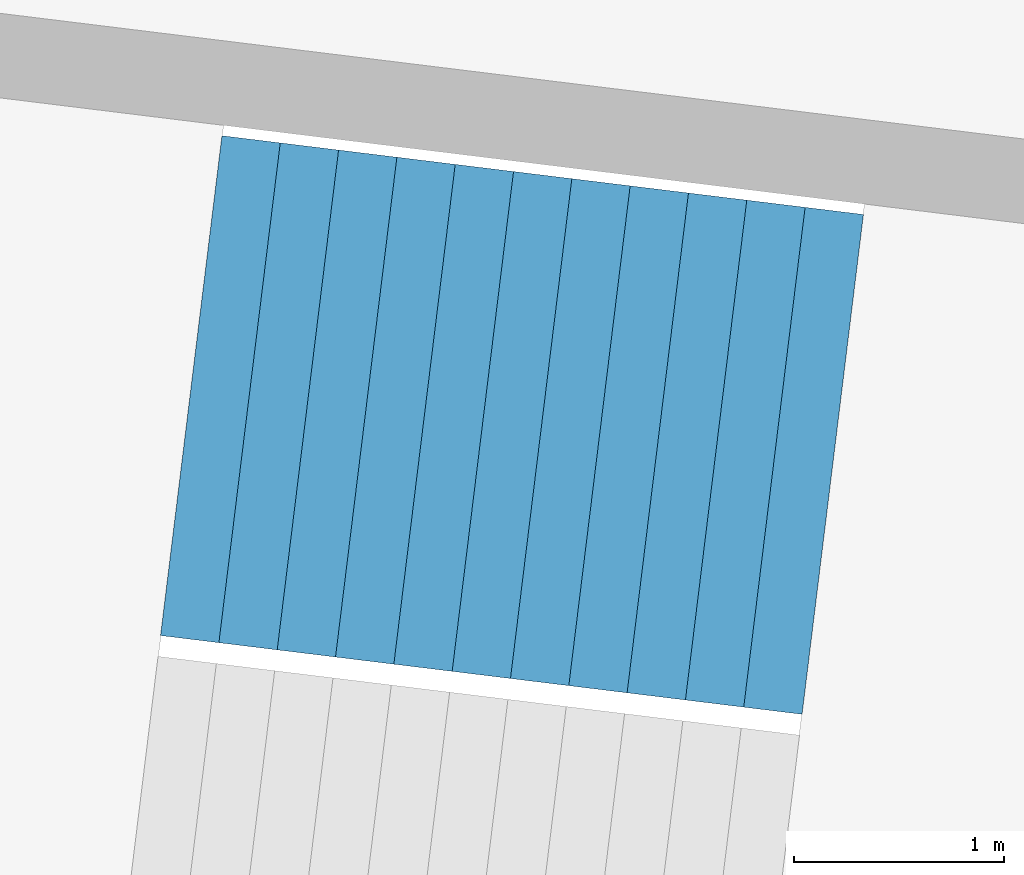
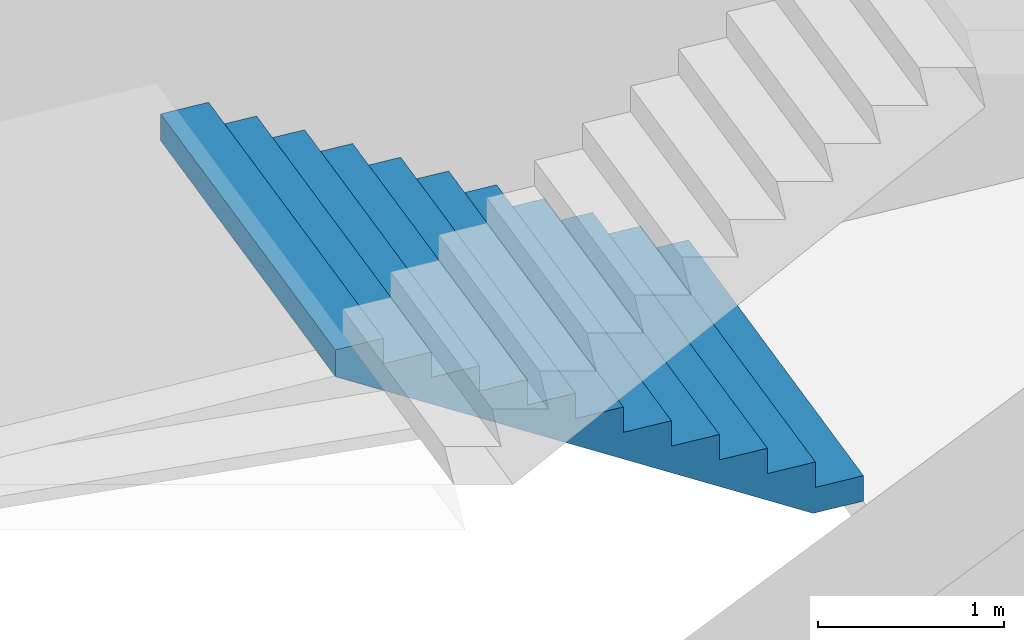
# One storey, part 28 of 74: 1 stair flight, 1 element without a shape of its own.
"""IFC4 building model written with IfcOpenShell, lengths in metres."""

import ifcopenshell
import ifcopenshell.guid

model = None  # the IFC model being written
_history = None  # IfcOwnerHistory: only IFC2X3 demands one
_inside = {}  # id of a spatial element -> (the spatial element, [elements in it])
_under = {}  # id of a project, library or spatial element -> (it, [spatial elements below it])
_declared = {}  # id of a project -> (the project, [libraries it declares])
_typed = {}  # id of a type object -> (the type object, [elements of that type])
_made_of = {}  # id of a material, layer set ... -> (it, [elements and type objects made of it])


def new_model(schema):
    """Start an empty IFC model of exactly this schema.

    Asked for "IFC4X3", IfcOpenShell would pick the latest addendum, in which some entities
    have other attributes; the version numbers below select the first issue.
    IFC2X3 requires an IfcOwnerHistory on every rooted entity: one is made here for all.
    """
    global model, _history
    if schema == "IFC4X3":
        model = ifcopenshell.file(schema_version=(4, 3, 0, 0))
    else:
        model = ifcopenshell.file(schema=schema)
    _inside.clear()
    _under.clear()
    _declared.clear()
    _typed.clear()
    _made_of.clear()
    _history = None
    if model.schema == "IFC2X3":
        org = make("IfcOrganization", Name="unknown")
        user = make(
            "IfcPersonAndOrganization",
            ThePerson=make("IfcPerson", FamilyName="unknown"),
            TheOrganization=org,
        )
        app = make(
            "IfcApplication",
            ApplicationDeveloper=org,
            Version="unknown",
            ApplicationFullName="unknown",
            ApplicationIdentifier="unknown",
        )
        _history = make(
            "IfcOwnerHistory",
            OwningUser=user,
            OwningApplication=app,
            ChangeAction="ADDED",
            CreationDate=0,
        )
    return model


def make(cls, **values):
    """One entity of the class cls with the attributes given. An attribute that is None is left unset."""
    return model.create_entity(
        cls, **{name: value for name, value in values.items() if value is not None}
    )


def rooted(cls, **values):
    """An entity with a GlobalId (a new one), such as an element, a storey or a relation."""
    return make(cls, GlobalId=ifcopenshell.guid.new(), OwnerHistory=_history, **values)


def si_unit(unit_type, name, prefix=None):
    """IfcSIUnit, for example si_unit("LENGTHUNIT", "METRE", prefix="MILLI")."""
    return make("IfcSIUnit", UnitType=unit_type, Prefix=prefix, Name=name)


def assignment(units):
    """IfcUnitAssignment: the units of a project."""
    return None if units is None else make("IfcUnitAssignment", Units=units)


def point(xyz):
    """IfcCartesianPoint."""
    return None if xyz is None else make("IfcCartesianPoint", Coordinates=xyz)


def direction(xyz):
    """IfcDirection."""
    return None if xyz is None else make("IfcDirection", DirectionRatios=xyz)


def frame(location, z_axis=None, x_axis=None):
    """IfcAxis2Placement3D, a coordinate frame: its origin and axes. An axis left out is left unset."""
    return make(
        "IfcAxis2Placement3D",
        Location=point(location),
        Axis=direction(z_axis),
        RefDirection=direction(x_axis),
    )


def origin():
    """The frame at (0, 0, 0) with its axes left unset."""
    return frame((0.0, 0.0, 0.0))


def place(relative_to, where):
    """IfcLocalPlacement: puts the frame where relative to a parent placement (None: the world)."""
    return make(
        "IfcLocalPlacement", PlacementRelTo=relative_to, RelativePlacement=where
    )


def context(
    kind, dimensions, precision=None, world=None, true_north=None, identifier=None
):
    """IfcGeometricRepresentationContext, for example the 3D "Model" context."""
    return make(
        "IfcGeometricRepresentationContext",
        ContextIdentifier=identifier,
        ContextType=kind,
        CoordinateSpaceDimension=dimensions,
        Precision=precision,
        WorldCoordinateSystem=world,
        TrueNorth=true_north,
    )


def subcontext(parent, identifier, kind, view, scale=None):
    """IfcGeometricRepresentationSubContext, for example "Body" below "Model"."""
    return make(
        "IfcGeometricRepresentationSubContext",
        ContextIdentifier=identifier,
        ContextType=kind,
        ParentContext=parent,
        TargetScale=scale,
        TargetView=view,
    )


def project(units=None, contexts=None):
    """IfcProject with its units and contexts."""
    return rooted(
        "IfcProject",
        Name="project",
        RepresentationContexts=contexts,
        UnitsInContext=assignment(units),
    )


def spatial(cls, under=None, at=None, **own):
    """A site, building, storey or space (cls), placed at a placement, below another one or the project."""
    s = rooted(cls, ObjectPlacement=at, **own)
    if under is not None:
        _under.setdefault(under.id(), (under, []))[1].append(s)
    return s


def point_list(points):
    """IfcCartesianPointList2D or 3D."""
    cls = (
        "IfcCartesianPointList2D" if len(points[0]) == 2 else "IfcCartesianPointList3D"
    )
    return make(cls, CoordList=points)


def triangles(points, corners, closed=None, point_numbers=None):
    """IfcTriangulatedFaceSet: each triangle names its three corners, points numbered from 1."""
    return make(
        "IfcTriangulatedFaceSet",
        Coordinates=point_list(points),
        Closed=closed,
        CoordIndex=corners,
        PnIndex=point_numbers,
    )


def shape(context_of_items, identifier, shape_type, items):
    """IfcShapeRepresentation: the items that make up one representation, for example the "Body"."""
    return make(
        "IfcShapeRepresentation",
        ContextOfItems=context_of_items,
        RepresentationIdentifier=identifier,
        RepresentationType=shape_type,
        Items=items,
    )


def material(Name=None, Category=None):
    """IfcMaterial."""
    return make("IfcMaterial", Name=Name, Category=Category)


def made_of(thing, what):
    """Note that an element or type object is made of a material, layer set ...; save() writes the relation."""
    if what is not None:
        _made_of.setdefault(what.id(), (what, []))[1].append(thing)
    return thing


def type_object(cls, material=None, **own):
    """A type object (cls), such as IfcWallType, which elements share."""
    return made_of(rooted(cls, **own), material)


def element(
    cls,
    number,
    at=None,
    inside=None,
    cuts=None,
    type_object=None,
    material=None,
    context=None,
    identifier="Body",
    shape_type=None,
    held_by="IfcProductDefinitionShape",
    body=None,
    shapes=None,
    **own,
):
    """One element of the class cls, such as IfcWall. Its Tag is "e" and its number.

    at: its placement. inside: the storey or other place that contains it. cuts: it is an
    opening in that element (IfcRelVoidsElement). A single representation is given by context,
    identifier, shape_type and body (its items); several are given by shapes. held_by: the class
    of the entity that holds the representations. save() writes the other relations.
    """
    e = rooted(cls, Tag="e%d" % number, ObjectPlacement=at, **own)
    if body is not None:
        shapes = [shape(context, identifier, shape_type, body)]
    if shapes is not None:
        e.Representation = make(held_by, Representations=shapes)
    if inside is not None:
        _inside.setdefault(inside.id(), (inside, []))[1].append(e)
    if cuts is not None:
        rooted(
            "IfcRelVoidsElement", RelatingBuildingElement=cuts, RelatedOpeningElement=e
        )
    if type_object is not None:
        _typed.setdefault(type_object.id(), (type_object, []))[1].append(e)
    return made_of(e, material)


def aggregate(whole, parts):
    """IfcRelAggregates: a whole, such as a stair, and the parts it consists of."""
    return rooted("IfcRelAggregates", RelatingObject=whole, RelatedObjects=parts)


def save(model, path):
    """Write the relations noted so far, then the file.

    IfcRelAggregates (storeys below a building ...), IfcRelContainedInSpatialStructure (elements
    in a storey), IfcRelDefinesByType, IfcRelAssociatesMaterial and IfcRelDeclares: one each for
    every whole, place, type object, material and project.
    """
    for whole, parts in _under.values():
        aggregate(whole, parts)
    for where, things in _inside.values():
        rooted(
            "IfcRelContainedInSpatialStructure",
            RelatedElements=things,
            RelatingStructure=where,
        )
    for kind, things in _typed.values():
        rooted("IfcRelDefinesByType", RelatedObjects=things, RelatingType=kind)
    for what, things in _made_of.values():
        rooted("IfcRelAssociatesMaterial", RelatedObjects=things, RelatingMaterial=what)
    for by, libraries in _declared.values():
        rooted("IfcRelDeclares", RelatingContext=by, RelatedDefinitions=libraries)
    model.write(path)


model = new_model("IFC4")

# Units and contexts
model_context = context("Model", 3, precision=1e-05, world=origin(), true_north=direction((0.0, 1.0)))
body_context = subcontext(model_context, "Body", "Model", "MODEL_VIEW")
ifc_project = project(units=[si_unit("LENGTHUNIT", "METRE"), si_unit("AREAUNIT", "SQUARE_METRE"), si_unit("VOLUMEUNIT", "CUBIC_METRE"), si_unit("PLANEANGLEUNIT", "RADIAN"), si_unit("MASSUNIT", "GRAM", prefix="KILO")], contexts=[model_context])

# Site, building, storey
site_placement = place(None, origin())
site = spatial("IfcSite", under=ifc_project, at=site_placement, CompositionType="ELEMENT")
building_placement = place(site_placement, origin())
building = spatial("IfcBuilding", under=site, at=building_placement, Name="Lantaw Convention Tower", CompositionType="ELEMENT")
storey_placement = place(building_placement, frame((0.0, 0.0, 6.5)))
storey = spatial("IfcBuildingStorey", under=building, at=storey_placement, Name="L01", CompositionType="ELEMENT", Elevation=6.5)

# Stair, stair flight
ifc_material = material(Name="Concrete C35/45", Category="concrete")
stair_type = type_object("IfcStairType", Name="Exit stair 2400 riser 166.67 in 4 flights", PredefinedType="HALF_TURN_STAIR", material=ifc_material)
stair_placement = place(storey_placement, origin())
stair = element("IfcStair", 1, at=stair_placement, inside=storey, type_object=stair_type, Name="Podium exit stair P9 L01", PredefinedType="HALF_TURN_STAIR")
stair_flight_type = type_object("IfcStairFlightType", Name="Stair flight 2400 riser 166.67", PredefinedType="STRAIGHT", material=ifc_material)
stair_flight_placement = place(storey_placement, frame((-37.9716796875, 5.921630859375, 0.0), z_axis=(0.0, 0.0, 1.0), x_axis=(-0.992546151641, 0.121869343405, 0.0)))
stair_flight = element("IfcStairFlight", 2, at=stair_flight_placement, type_object=stair_flight_type, Name="P9 flight 1", NumberOfRisers=12, NumberOfTreads=11, PredefinedType="STRAIGHT", RiserHeight=0.166666667, TreadLength=0.28, context=body_context, shape_type="Tessellation", body=[
    triangles([(0.0, 1.199951171875, 0.0), (0.0, 1.199951171875, 0.166666667), (0.28, 1.199951171875, 0.0), (0.28, 1.199951171875, 0.166666667), (0.28, 1.199951171875, 0.333333334), (0.29307345806906726, 1.199951171875, 0.0), (0.29307345806906726, 1.199951171875, 0.333333334), (0.56, 1.199951171875, 0.15888484670522965), (0.56, 1.199951171875, 0.333333334), (0.56, 1.199951171875, 0.500000001), (0.8400000000000001, 1.199951171875, 0.3255515137052296), (0.8400000000000001, 1.199951171875, 0.500000001), (0.8400000000000001, 1.199951171875, 0.666666668), (1.12, 1.199951171875, 0.4922181807052296), (1.12, 1.199951171875, 0.666666668), (1.12, 1.199951171875, 0.833333335), (1.4000000000000001, 1.199951171875, 0.6588848477052296), (1.4000000000000001, 1.199951171875, 0.833333335), (1.4000000000000001, 1.199951171875, 1.000000002), (1.6800000000000002, 1.199951171875, 0.8255515147052296), (1.6800000000000002, 1.199951171875, 1.000000002), (1.6800000000000002, 1.199951171875, 1.166666669), (1.9600000000000002, 1.199951171875, 0.9922181817052296), (1.9600000000000002, 1.199951171875, 1.166666669), (1.9600000000000002, 1.199951171875, 1.333333336), (2.24, 1.199951171875, 1.1588848487052295), (2.24, 1.199951171875, 1.333333336), (2.24, 1.199951171875, 1.5000000029999998), (2.5200000000000005, 1.199951171875, 1.3255515157052296), (2.5200000000000005, 1.199951171875, 1.5000000029999998), (2.5200000000000005, 1.199951171875, 1.66666667), (2.8000000000000003, 1.199951171875, 1.4922181827052294), (2.8000000000000003, 1.199951171875, 1.66666667), (2.8000000000000003, 1.199951171875, 1.833333337), (3.08, 1.199951171875, 1.6588848497052293), (3.08, 1.199951171875, 1.833333337), (0.0, -1.199951171875, 0.0), (0.0, -1.199951171875, 0.166666667), (0.28, -1.199951171875, 0.0), (0.28, -1.199951171875, 0.166666667), (0.28, -1.199951171875, 0.333333334), (0.29307345806906726, -1.199951171875, 0.0), (0.29307345806906726, -1.199951171875, 0.333333334), (0.56, -1.199951171875, 0.15888484670522965), (0.56, -1.199951171875, 0.333333334), (0.56, -1.199951171875, 0.500000001), (0.8400000000000001, -1.199951171875, 0.3255515137052296), (0.8400000000000001, -1.199951171875, 0.500000001), (0.8400000000000001, -1.199951171875, 0.666666668), (1.12, -1.199951171875, 0.4922181807052296), (1.12, -1.199951171875, 0.666666668), (1.12, -1.199951171875, 0.833333335), (1.4000000000000001, -1.199951171875, 0.6588848477052296), (1.4000000000000001, -1.199951171875, 0.833333335), (1.4000000000000001, -1.199951171875, 1.000000002), (1.6800000000000002, -1.199951171875, 0.8255515147052296), (1.6800000000000002, -1.199951171875, 1.000000002), (1.6800000000000002, -1.199951171875, 1.166666669), (1.9600000000000002, -1.199951171875, 0.9922181817052296), (1.9600000000000002, -1.199951171875, 1.166666669), (1.9600000000000002, -1.199951171875, 1.333333336), (2.24, -1.199951171875, 1.1588848487052295), (2.24, -1.199951171875, 1.333333336), (2.24, -1.199951171875, 1.5000000029999998), (2.5200000000000005, -1.199951171875, 1.3255515157052296), (2.5200000000000005, -1.199951171875, 1.5000000029999998), (2.5200000000000005, -1.199951171875, 1.66666667), (2.8000000000000003, -1.199951171875, 1.4922181827052294), (2.8000000000000003, -1.199951171875, 1.66666667), (2.8000000000000003, -1.199951171875, 1.833333337), (3.08, -1.199951171875, 1.6588848497052293), (3.08, -1.199951171875, 1.833333337), (0.0, 0.239990234375, 0.166666667), (0.0, 0.239990234375, 0.0), (0.0, 0.1199951171875, 0.166666667), (0.0, 0.1199951171875, 0.0), (0.0, 0.0, 0.166666667), (0.0, 0.0, 0.0), (0.0, -0.1199951171875, 0.166666667), (0.0, -0.1199951171875, 0.0), (0.0, -0.239990234375, 0.166666667), (0.0, -0.239990234375, 0.0), (0.28, 0.239990234375, 0.333333334), (0.28, 0.239990234375, 0.166666667), (0.28, 0.1199951171875, 0.333333334), (0.28, 0.1199951171875, 0.166666667), (0.28, 0.0, 0.333333334), (0.28, 0.0, 0.166666667), (0.28, -0.1199951171875, 0.333333334), (0.28, -0.1199951171875, 0.166666667), (0.28, -0.239990234375, 0.333333334), (0.28, -0.239990234375, 0.166666667), (0.56, 0.239990234375, 0.500000001), (0.56, 0.239990234375, 0.333333334), (0.56, 0.1199951171875, 0.500000001), (0.56, 0.1199951171875, 0.333333334), (0.56, 0.0, 0.500000001), (0.56, 0.0, 0.333333334), (0.56, -0.1199951171875, 0.500000001), (0.56, -0.1199951171875, 0.333333334), (0.56, -0.239990234375, 0.500000001), (0.56, -0.239990234375, 0.333333334), (0.8400000000000001, 0.239990234375, 0.666666668), (0.8400000000000001, 0.239990234375, 0.500000001), (0.8400000000000001, 0.1199951171875, 0.666666668), (0.8400000000000001, 0.1199951171875, 0.500000001), (0.8400000000000001, 0.0, 0.666666668), (0.8400000000000001, 0.0, 0.500000001), (0.8400000000000001, -0.1199951171875, 0.666666668), (0.8400000000000001, -0.1199951171875, 0.500000001), (0.8400000000000001, -0.239990234375, 0.666666668), (0.8400000000000001, -0.239990234375, 0.500000001), (1.12, 0.239990234375, 0.833333335), (1.12, 0.239990234375, 0.666666668), (1.12, 0.1199951171875, 0.833333335), (1.12, 0.1199951171875, 0.666666668), (1.12, 0.0, 0.833333335), (1.12, 0.0, 0.666666668), (1.12, -0.1199951171875, 0.833333335), (1.12, -0.1199951171875, 0.666666668), (1.12, -0.239990234375, 0.833333335), (1.12, -0.239990234375, 0.666666668), (1.4000000000000001, 0.239990234375, 1.000000002), (1.4000000000000001, 0.239990234375, 0.833333335), (1.4000000000000001, 0.1199951171875, 1.000000002), (1.4000000000000001, 0.1199951171875, 0.833333335), (1.4000000000000001, 0.0, 1.000000002), (1.4000000000000001, 0.0, 0.833333335), (1.4000000000000001, -0.1199951171875, 1.000000002), (1.4000000000000001, -0.1199951171875, 0.833333335), (1.4000000000000001, -0.239990234375, 1.000000002), (1.4000000000000001, -0.239990234375, 0.833333335), (1.6800000000000002, 0.239990234375, 1.166666669), (1.6800000000000002, 0.239990234375, 1.000000002), (1.6800000000000002, 0.1199951171875, 1.166666669), (1.6800000000000002, 0.1199951171875, 1.000000002), (1.6800000000000002, 0.0, 1.166666669), (1.6800000000000002, 0.0, 1.000000002), (1.6800000000000002, -0.1199951171875, 1.166666669), (1.6800000000000002, -0.1199951171875, 1.000000002), (1.6800000000000002, -0.239990234375, 1.166666669), (1.6800000000000002, -0.239990234375, 1.000000002), (1.9600000000000002, 0.239990234375, 1.333333336), (1.9600000000000002, 0.239990234375, 1.166666669), (1.9600000000000002, 0.1199951171875, 1.333333336), (1.9600000000000002, 0.1199951171875, 1.166666669), (1.9600000000000002, 0.0, 1.333333336), (1.9600000000000002, 0.0, 1.166666669), (1.9600000000000002, -0.1199951171875, 1.333333336), (1.9600000000000002, -0.1199951171875, 1.166666669), (1.9600000000000002, -0.239990234375, 1.333333336), (1.9600000000000002, -0.239990234375, 1.166666669), (2.24, 0.239990234375, 1.5000000029999998), (2.24, 0.239990234375, 1.333333336), (2.24, 0.1199951171875, 1.5000000029999998), (2.24, 0.1199951171875, 1.333333336), (2.24, 0.0, 1.5000000029999998), (2.24, 0.0, 1.333333336), (2.24, -0.1199951171875, 1.5000000029999998), (2.24, -0.1199951171875, 1.333333336), (2.24, -0.239990234375, 1.5000000029999998), (2.24, -0.239990234375, 1.333333336), (2.5200000000000005, 0.239990234375, 1.66666667), (2.5200000000000005, 0.239990234375, 1.5000000029999998), (2.5200000000000005, 0.1199951171875, 1.66666667), (2.5200000000000005, 0.1199951171875, 1.5000000029999998), (2.5200000000000005, 0.0, 1.66666667), (2.5200000000000005, 0.0, 1.5000000029999998), (2.5200000000000005, -0.1199951171875, 1.66666667), (2.5200000000000005, -0.1199951171875, 1.5000000029999998), (2.5200000000000005, -0.239990234375, 1.66666667), (2.5200000000000005, -0.239990234375, 1.5000000029999998), (2.8000000000000003, 0.239990234375, 1.833333337), (2.8000000000000003, 0.239990234375, 1.66666667), (2.8000000000000003, 0.1199951171875, 1.833333337), (2.8000000000000003, 0.1199951171875, 1.66666667), (2.8000000000000003, 0.0, 1.833333337), (2.8000000000000003, 0.0, 1.66666667), (2.8000000000000003, -0.1199951171875, 1.833333337), (2.8000000000000003, -0.1199951171875, 1.66666667), (2.8000000000000003, -0.239990234375, 1.833333337), (2.8000000000000003, -0.239990234375, 1.66666667), (0.29307345806906726, 0.239990234375, 0.333333334), (0.29307345806906726, 0.1199951171875, 0.333333334), (0.29307345806906726, 0.0, 0.333333334), (0.29307345806906726, -0.1199951171875, 0.333333334), (0.29307345806906726, -0.239990234375, 0.333333334), (3.08, 0.239990234375, 1.833333337), (3.08, 0.1199951171875, 1.833333337), (3.08, 0.0, 1.833333337), (3.08, -0.1199951171875, 1.833333337), (3.08, -0.239990234375, 1.833333337), (3.08, 0.239990234375, 1.6588848497052293), (3.08, 0.1199951171875, 1.6588848497052293), (3.08, 0.0, 1.6588848497052293), (3.08, -0.1199951171875, 1.6588848497052293), (3.08, -0.239990234375, 1.6588848497052293), (2.8000000000000003, 0.239990234375, 1.4922181827052294), (2.8000000000000003, 0.1199951171875, 1.4922181827052294), (2.8000000000000003, 0.0, 1.4922181827052294), (2.8000000000000003, -0.1199951171875, 1.4922181827052294), (2.8000000000000003, -0.239990234375, 1.4922181827052294), (2.5200000000000005, 0.239990234375, 1.3255515157052296), (2.5200000000000005, 0.1199951171875, 1.3255515157052296), (2.5200000000000005, 0.0, 1.3255515157052296), (2.5200000000000005, -0.1199951171875, 1.3255515157052296), (2.5200000000000005, -0.239990234375, 1.3255515157052296), (2.24, 0.239990234375, 1.1588848487052295), (2.24, 0.1199951171875, 1.1588848487052295), (2.24, 0.0, 1.1588848487052295), (2.24, -0.1199951171875, 1.1588848487052295), (2.24, -0.239990234375, 1.1588848487052295), (1.9600000000000002, 0.239990234375, 0.9922181817052296), (1.9600000000000002, 0.1199951171875, 0.9922181817052296), (1.9600000000000002, 0.0, 0.9922181817052296), (1.9600000000000002, -0.1199951171875, 0.9922181817052296), (1.9600000000000002, -0.239990234375, 0.9922181817052296), (1.6800000000000002, 0.239990234375, 0.8255515147052296), (1.6800000000000002, 0.1199951171875, 0.8255515147052296), (1.6800000000000002, 0.0, 0.8255515147052296), (1.6800000000000002, -0.1199951171875, 0.8255515147052296), (1.6800000000000002, -0.239990234375, 0.8255515147052296), (1.4000000000000001, 0.239990234375, 0.6588848477052296), (1.4000000000000001, 0.1199951171875, 0.6588848477052296), (1.4000000000000001, 0.0, 0.6588848477052296), (1.4000000000000001, -0.1199951171875, 0.6588848477052296), (1.4000000000000001, -0.239990234375, 0.6588848477052296), (1.12, 0.239990234375, 0.4922181807052296), (1.12, 0.1199951171875, 0.4922181807052296), (1.12, 0.0, 0.4922181807052296), (1.12, -0.1199951171875, 0.4922181807052296), (1.12, -0.239990234375, 0.4922181807052296), (0.8400000000000001, 0.239990234375, 0.3255515137052296), (0.8400000000000001, 0.1199951171875, 0.3255515137052296), (0.8400000000000001, 0.0, 0.3255515137052296), (0.8400000000000001, -0.1199951171875, 0.3255515137052296), (0.8400000000000001, -0.239990234375, 0.3255515137052296), (0.56, 0.239990234375, 0.15888484670522965), (0.56, 0.1199951171875, 0.15888484670522965), (0.56, 0.0, 0.15888484670522965), (0.56, -0.1199951171875, 0.15888484670522965), (0.56, -0.239990234375, 0.15888484670522965), (0.29307345806906726, 0.239990234375, 0.0), (0.29307345806906726, 0.1199951171875, 0.0), (0.29307345806906726, 0.0, 0.0), (0.29307345806906726, -0.1199951171875, 0.0), (0.29307345806906726, -0.239990234375, 0.0), (0.28, 0.239990234375, 0.0), (0.28, 0.1199951171875, 0.0), (0.28, 0.0, 0.0), (0.28, -0.1199951171875, 0.0), (0.28, -0.239990234375, 0.0)], [[1, 4, 3], [1, 2, 4], [3, 4, 6], [4, 7, 6], [4, 5, 7], [6, 9, 8], [6, 7, 9], [8, 9, 11], [9, 12, 11], [9, 10, 12], [11, 12, 14], [12, 15, 14], [12, 13, 15], [14, 15, 17], [15, 18, 17], [15, 16, 18], [17, 18, 20], [18, 21, 20], [18, 19, 21], [20, 21, 23], [21, 24, 23], [21, 22, 24], [23, 24, 26], [24, 27, 26], [24, 25, 27], [26, 27, 29], [27, 30, 29], [27, 28, 30], [29, 30, 32], [30, 33, 32], [30, 31, 33], [32, 33, 35], [33, 36, 35], [33, 34, 36], [37, 39, 40], [37, 40, 38], [39, 42, 40], [40, 42, 43], [40, 43, 41], [42, 44, 45], [42, 45, 43], [44, 47, 45], [45, 47, 48], [45, 48, 46], [47, 50, 48], [48, 50, 51], [48, 51, 49], [50, 53, 51], [51, 53, 54], [51, 54, 52], [53, 56, 54], [54, 56, 57], [54, 57, 55], [56, 59, 57], [57, 59, 60], [57, 60, 58], [59, 62, 60], [60, 62, 63], [60, 63, 61], [62, 65, 63], [63, 65, 66], [63, 66, 64], [65, 68, 66], [66, 68, 69], [66, 69, 67], [68, 71, 69], [69, 71, 72], [69, 72, 70], [1, 73, 2], [1, 74, 73], [74, 75, 73], [74, 76, 75], [76, 77, 75], [76, 78, 77], [78, 79, 77], [78, 80, 79], [80, 81, 79], [80, 82, 81], [82, 38, 81], [82, 37, 38], [4, 83, 5], [4, 84, 83], [84, 85, 83], [84, 86, 85], [86, 87, 85], [86, 88, 87], [88, 89, 87], [88, 90, 89], [90, 91, 89], [90, 92, 91], [92, 41, 91], [92, 40, 41], [9, 93, 10], [9, 94, 93], [94, 95, 93], [94, 96, 95], [96, 97, 95], [96, 98, 97], [98, 99, 97], [98, 100, 99], [100, 101, 99], [100, 102, 101], [102, 46, 101], [102, 45, 46], [12, 103, 13], [12, 104, 103], [104, 105, 103], [104, 106, 105], [106, 107, 105], [106, 108, 107], [108, 109, 107], [108, 110, 109], [110, 111, 109], [110, 112, 111], [112, 49, 111], [112, 48, 49], [15, 113, 16], [15, 114, 113], [114, 115, 113], [114, 116, 115], [116, 117, 115], [116, 118, 117], [118, 119, 117], [118, 120, 119], [120, 121, 119], [120, 122, 121], [122, 52, 121], [122, 51, 52], [18, 123, 19], [18, 124, 123], [124, 125, 123], [124, 126, 125], [126, 127, 125], [126, 128, 127], [128, 129, 127], [128, 130, 129], [130, 131, 129], [130, 132, 131], [132, 55, 131], [132, 54, 55], [21, 133, 22], [21, 134, 133], [134, 135, 133], [134, 136, 135], [136, 137, 135], [136, 138, 137], [138, 139, 137], [138, 140, 139], [140, 141, 139], [140, 142, 141], [142, 58, 141], [142, 57, 58], [24, 143, 25], [24, 144, 143], [144, 145, 143], [144, 146, 145], [146, 147, 145], [146, 148, 147], [148, 149, 147], [148, 150, 149], [150, 151, 149], [150, 152, 151], [152, 61, 151], [152, 60, 61], [27, 153, 28], [27, 154, 153], [154, 155, 153], [154, 156, 155], [156, 157, 155], [156, 158, 157], [158, 159, 157], [158, 160, 159], [160, 161, 159], [160, 162, 161], [162, 64, 161], [162, 63, 64], [30, 163, 31], [30, 164, 163], [164, 165, 163], [164, 166, 165], [166, 167, 165], [166, 168, 167], [168, 169, 167], [168, 170, 169], [170, 171, 169], [170, 172, 171], [172, 67, 171], [172, 66, 67], [33, 173, 34], [33, 174, 173], [174, 175, 173], [174, 176, 175], [176, 177, 175], [176, 178, 177], [178, 179, 177], [178, 180, 179], [180, 181, 179], [180, 182, 181], [182, 70, 181], [182, 69, 70], [2, 84, 4], [2, 73, 84], [73, 86, 84], [73, 75, 86], [75, 88, 86], [75, 77, 88], [77, 90, 88], [77, 79, 90], [79, 92, 90], [79, 81, 92], [81, 40, 92], [81, 38, 40], [5, 183, 7], [5, 83, 183], [83, 184, 183], [83, 85, 184], [85, 185, 184], [85, 87, 185], [87, 186, 185], [87, 89, 186], [89, 187, 186], [89, 91, 187], [91, 43, 187], [91, 41, 43], [7, 94, 9], [7, 183, 94], [183, 96, 94], [183, 184, 96], [184, 98, 96], [184, 185, 98], [185, 100, 98], [185, 186, 100], [186, 102, 100], [186, 187, 102], [187, 45, 102], [187, 43, 45], [10, 104, 12], [10, 93, 104], [93, 106, 104], [93, 95, 106], [95, 108, 106], [95, 97, 108], [97, 110, 108], [97, 99, 110], [99, 112, 110], [99, 101, 112], [101, 48, 112], [101, 46, 48], [13, 114, 15], [13, 103, 114], [103, 116, 114], [103, 105, 116], [105, 118, 116], [105, 107, 118], [107, 120, 118], [107, 109, 120], [109, 122, 120], [109, 111, 122], [111, 51, 122], [111, 49, 51], [16, 124, 18], [16, 113, 124], [113, 126, 124], [113, 115, 126], [115, 128, 126], [115, 117, 128], [117, 130, 128], [117, 119, 130], [119, 132, 130], [119, 121, 132], [121, 54, 132], [121, 52, 54], [19, 134, 21], [19, 123, 134], [123, 136, 134], [123, 125, 136], [125, 138, 136], [125, 127, 138], [127, 140, 138], [127, 129, 140], [129, 142, 140], [129, 131, 142], [131, 57, 142], [131, 55, 57], [22, 144, 24], [22, 133, 144], [133, 146, 144], [133, 135, 146], [135, 148, 146], [135, 137, 148], [137, 150, 148], [137, 139, 150], [139, 152, 150], [139, 141, 152], [141, 60, 152], [141, 58, 60], [25, 154, 27], [25, 143, 154], [143, 156, 154], [143, 145, 156], [145, 158, 156], [145, 147, 158], [147, 160, 158], [147, 149, 160], [149, 162, 160], [149, 151, 162], [151, 63, 162], [151, 61, 63], [28, 164, 30], [28, 153, 164], [153, 166, 164], [153, 155, 166], [155, 168, 166], [155, 157, 168], [157, 170, 168], [157, 159, 170], [159, 172, 170], [159, 161, 172], [161, 66, 172], [161, 64, 66], [31, 174, 33], [31, 163, 174], [163, 176, 174], [163, 165, 176], [165, 178, 176], [165, 167, 178], [167, 180, 178], [167, 169, 180], [169, 182, 180], [169, 171, 182], [171, 69, 182], [171, 67, 69], [34, 188, 36], [34, 173, 188], [173, 189, 188], [173, 175, 189], [175, 190, 189], [175, 177, 190], [177, 191, 190], [177, 179, 191], [179, 192, 191], [179, 181, 192], [181, 72, 192], [181, 70, 72], [36, 193, 35], [36, 188, 193], [188, 194, 193], [188, 189, 194], [189, 195, 194], [189, 190, 195], [190, 196, 195], [190, 191, 196], [191, 197, 196], [191, 192, 197], [192, 71, 197], [192, 72, 71], [35, 198, 32], [35, 193, 198], [193, 199, 198], [193, 194, 199], [194, 200, 199], [194, 195, 200], [195, 201, 200], [195, 196, 201], [196, 202, 201], [196, 197, 202], [197, 68, 202], [197, 71, 68], [32, 203, 29], [32, 198, 203], [198, 204, 203], [198, 199, 204], [199, 205, 204], [199, 200, 205], [200, 206, 205], [200, 201, 206], [201, 207, 206], [201, 202, 207], [202, 65, 207], [202, 68, 65], [29, 208, 26], [29, 203, 208], [203, 209, 208], [203, 204, 209], [204, 210, 209], [204, 205, 210], [205, 211, 210], [205, 206, 211], [206, 212, 211], [206, 207, 212], [207, 62, 212], [207, 65, 62], [26, 213, 23], [26, 208, 213], [208, 214, 213], [208, 209, 214], [209, 215, 214], [209, 210, 215], [210, 216, 215], [210, 211, 216], [211, 217, 216], [211, 212, 217], [212, 59, 217], [212, 62, 59], [23, 218, 20], [23, 213, 218], [213, 219, 218], [213, 214, 219], [214, 220, 219], [214, 215, 220], [215, 221, 220], [215, 216, 221], [216, 222, 221], [216, 217, 222], [217, 56, 222], [217, 59, 56], [20, 223, 17], [20, 218, 223], [218, 224, 223], [218, 219, 224], [219, 225, 224], [219, 220, 225], [220, 226, 225], [220, 221, 226], [221, 227, 226], [221, 222, 227], [222, 53, 227], [222, 56, 53], [17, 228, 14], [17, 223, 228], [223, 229, 228], [223, 224, 229], [224, 230, 229], [224, 225, 230], [225, 231, 230], [225, 226, 231], [226, 232, 231], [226, 227, 232], [227, 50, 232], [227, 53, 50], [14, 233, 11], [14, 228, 233], [228, 234, 233], [228, 229, 234], [229, 235, 234], [229, 230, 235], [230, 236, 235], [230, 231, 236], [231, 237, 236], [231, 232, 237], [232, 47, 237], [232, 50, 47], [11, 238, 8], [11, 233, 238], [233, 239, 238], [233, 234, 239], [234, 240, 239], [234, 235, 240], [235, 241, 240], [235, 236, 241], [236, 242, 241], [236, 237, 242], [237, 44, 242], [237, 47, 44], [8, 243, 6], [8, 238, 243], [238, 244, 243], [238, 239, 244], [239, 245, 244], [239, 240, 245], [240, 246, 245], [240, 241, 246], [241, 247, 246], [241, 242, 247], [242, 42, 247], [242, 44, 42], [6, 248, 3], [6, 243, 248], [243, 249, 248], [243, 244, 249], [244, 250, 249], [244, 245, 250], [245, 251, 250], [245, 246, 251], [246, 252, 251], [246, 247, 252], [247, 39, 252], [247, 42, 39], [3, 74, 1], [3, 248, 74], [248, 76, 74], [248, 249, 76], [249, 78, 76], [249, 250, 78], [250, 80, 78], [250, 251, 80], [251, 82, 80], [251, 252, 82], [252, 37, 82], [252, 39, 37]], closed=True),
])
aggregate(stair, [stair_flight])

save(model, "model.ifc")
